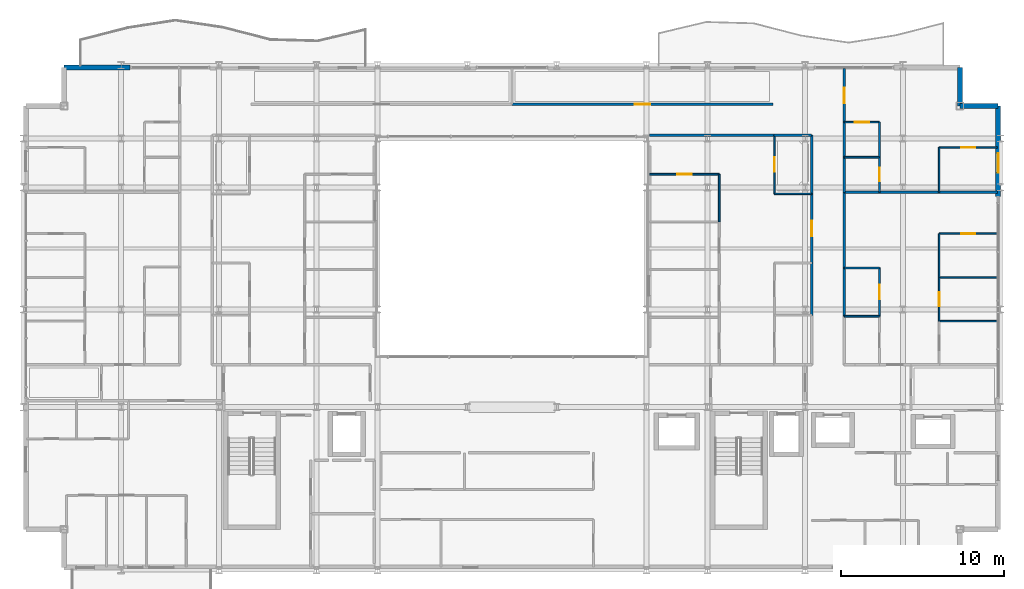
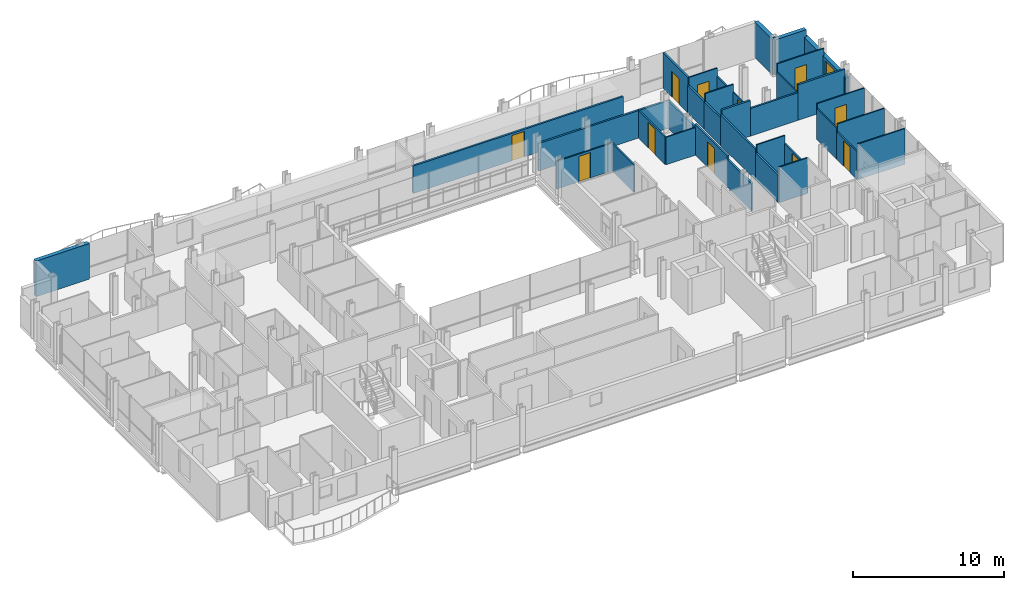
# One storey, part 36 of 41: 36 walls, 11 doors, 1 window, 12 openings.
"""IFC4 building model written with IfcOpenShell, lengths in metres."""

from ifc_helpers import new_model, si_unit, direction, frame, frame_2d, origin, place, context, subcontext, project, spatial, rectangle, extrude, material, layer, layer_set, type_object, element, fill, save


model = new_model("IFC4")

# Units and contexts
model_context = context("Model", 3, precision=1e-05, world=origin(), true_north=direction((0.0, 1.0)))
body_context = subcontext(model_context, "Body", "Model", "MODEL_VIEW")
ifc_project = project(units=[si_unit("LENGTHUNIT", "METRE"), si_unit("AREAUNIT", "SQUARE_METRE"), si_unit("VOLUMEUNIT", "CUBIC_METRE"), si_unit("PLANEANGLEUNIT", "RADIAN"), si_unit("MASSUNIT", "GRAM", prefix="KILO")], contexts=[model_context])

# Site, building, storey
site_placement = place(None, origin())
site = spatial("IfcSite", under=ifc_project, at=site_placement, CompositionType="ELEMENT")
building_placement = place(site_placement, origin())
building = spatial("IfcBuilding", under=site, at=building_placement, Name="Brevholm Reach", CompositionType="ELEMENT")
storey_placement = place(building_placement, frame((0.0, 0.0, 68.300048828125)))
storey = spatial("IfcBuildingStorey", under=building, at=storey_placement, Name="L19", CompositionType="ELEMENT", Elevation=68.300048828125)

# Walls
ifc_material_1 = material(Name="Concrete C40/50", Category="concrete")
ifc_layer_1 = layer(ifc_material_1, 0.300048828125)
ifc_layer_set_1 = layer_set([ifc_layer_1], Name="Concrete C40/50")
wall_type_1 = type_object("IfcWallType", Name="WAL-EXT-300", PredefinedType="STANDARD", material=ifc_layer_set_1)
for number, where, z_axis, x_axis, name in (
    (1, (59.85009765625, 28.5, 0.0), (0.0, 0.0, 1.0), (-1.0, 0.0, 0.0), "L19 Facade Wall WAL-L19-CNE1"),
    (2, (57.5, 28.5, 0.0), (0.0, 0.0, 1.0), (0.0, 1.0, 0.0), "L19 Facade Wall WAL-L19-CNE2"),
):
    element("IfcWall", number, at=place(storey_placement, frame(where, z_axis=z_axis, x_axis=x_axis)), inside=storey, type_object=wall_type_1, Name=name, PredefinedType="STANDARD", context=body_context, shape_type="SweptSolid", body=[
        extrude(rectangle(XDim=2.35009765625, YDim=0.300048828125, at=frame_2d((1.175048828125, 0.0))), origin(), (0.0, 0.0, 1.0), 2.869873046875),
    ])

# Wall, opening, window
wall_1_placement = place(storey_placement, frame((59.85009765625, 22.949951171875, 0.0), z_axis=(0.0, 0.0, 1.0), x_axis=(0.0, 1.0, 0.0)))
wall_1 = element("IfcWall", 3, at=wall_1_placement, inside=storey, type_object=wall_type_1, Name="L19 Facade Wall WAL-L19-E-N", PredefinedType="STANDARD", context=body_context, shape_type="SweptSolid", body=[
    extrude(rectangle(XDim=5.550048828125, YDim=0.300048828125, at=frame_2d((2.77490234375, 0.0))), origin(), (0.0, 0.0, 1.0), 2.305419921875),
])
opening_1_placement = place(wall_1_placement, frame((1.449951171875, 0.0, 0.486083984375)))
opening_1 = element("IfcOpeningElement", 4, at=opening_1_placement, cuts=wall_1, Name="Opening WN-08", PredefinedType="OPENING", context=body_context, shape_type="SweptSolid", body=[
    extrude(rectangle(XDim=1.199951171875, YDim=1.60009765625, at=frame_2d((0.60009765625, 0.800048828125))), frame((0.0, 0.159912109375, 0.0), z_axis=(0.0, -1.0, 0.0), x_axis=(1.0, 0.0, 0.0)), (0.0, 0.0, 1.0), 0.320068359375),
])
ifc_material_2 = material(Name="Dark Anodised Aluminium and Solar-Control IGU Glass", Category="aluminium")
window_type = type_object("IfcWindowType", Name="WIN-RES-1200", PartitioningType="SINGLE_PANEL", PredefinedType="WINDOW", material=ifc_material_2)
window_placement = place(opening_1_placement, origin())
window = element("IfcWindow", 5, at=window_placement, inside=storey, type_object=window_type, Name="L19 Window WIN-L19-EN-1", OverallHeight=1.60009765625, OverallWidth=1.199951171875, PartitioningType="SINGLE_PANEL", PredefinedType="WINDOW", context=body_context, shape_type="SweptSolid", body=[
    extrude(rectangle(XDim=1.199951171875, YDim=1.60009765625, at=frame_2d((0.60009765625, 0.800048828125))), frame((0.0, 0.030029296875, 0.0), z_axis=(0.0, -1.0, 0.0), x_axis=(1.0, 0.0, 0.0)), (0.0, 0.0, 1.0), 0.06005859375),
])
fill(opening_1, window)

# Walls
wall_2_placement = place(storey_placement, frame((2.5, 30.85009765625, 0.0), z_axis=(0.0, 0.0, 1.0), x_axis=(1.0, 0.0, 0.0)))
element("IfcWall", 6, at=wall_2_placement, inside=storey, type_object=wall_type_1, Name="L19 Facade Wall WAL-L19-NP-W0", PredefinedType="STANDARD", context=body_context, shape_type="SweptSolid", body=[
    extrude(rectangle(XDim=4.050048828125, YDim=0.300048828125, at=frame_2d((2.02490234375, 0.0))), origin(), (0.0, 0.0, 1.0), 2.869873046875),
])
ifc_material_3 = material(Name="Moisture-Resistant Acoustic Gypsum Stud Partition 100 mm", Category="gypsum")
ifc_layer_2 = layer(ifc_material_3, 0.10009765625)
ifc_layer_set_2 = layer_set([ifc_layer_2], Name="Moisture-Resistant Acoustic Gypsum Stud Partition 100 mm")
wall_type_2 = type_object("IfcWallType", Name="WAL-PRT-100", PredefinedType="PARTITIONING", material=ifc_layer_set_2)
wall_3_placement = place(storey_placement, frame((46.112060546875, 23.10009765625, 0.0), z_axis=(0.0, 0.0, 1.0), x_axis=(1.0, 0.0, 0.0)))
element("IfcWall", 7, at=wall_3_placement, inside=storey, type_object=wall_type_2, Name="L19 Internal Partition 128", PredefinedType="PARTITIONING", context=body_context, shape_type="SweptSolid", body=[
    extrude(rectangle(XDim=2.283935546875, YDim=0.10009765625, at=frame_2d((1.14208984375, 0.0))), origin(), (0.0, 0.0, 1.0), 2.224853515625),
])

# Wall, opening, door
wall_4_placement = place(storey_placement, frame((46.112060546875, 23.10009765625, 0.0), z_axis=(0.0, 0.0, 1.0), x_axis=(0.0, 1.0, 0.0)))
wall_4 = element("IfcWall", 8, at=wall_4_placement, inside=storey, type_object=wall_type_2, Name="L19 Internal Partition 129", PredefinedType="PARTITIONING", context=body_context, shape_type="SweptSolid", body=[
    extrude(rectangle(XDim=3.595947265625, YDim=0.10009765625, at=frame_2d((1.7978515625, 0.0))), origin(), (0.0, 0.0, 1.0), 2.224853515625),
])
opening_2_placement = place(wall_4_placement, frame((1.35791015625, 0.0, 0.0)))
opening_2 = element("IfcOpeningElement", 9, at=opening_2_placement, cuts=wall_4, Name="Opening ID-01", PredefinedType="OPENING", context=body_context, shape_type="SweptSolid", body=[
    extrude(rectangle(XDim=0.8798828125, YDim=2.0400390625, at=frame_2d((0.43994140625, 1.02001953125))), frame((0.0, 0.06005859375, 0.0), z_axis=(0.0, -1.0, 0.0), x_axis=(1.0, 0.0, 0.0)), (0.0, 0.0, 1.0), 0.1201171875),
])
ifc_material_4 = material(Name="Lacquered Ash Solid-Core Acoustic Internal Door", Category="timber")
door_type_1 = type_object("IfcDoorType", Name="DOR-INT-880", OperationType="NOTDEFINED", PredefinedType="DOOR", material=ifc_material_4)
door_1_placement = place(opening_2_placement, origin())
door_1 = element("IfcDoor", 10, at=door_1_placement, inside=storey, type_object=door_type_1, Name="L19 Internal Door 050", OperationType="SINGLE_SWING_RIGHT", OverallHeight=2.0400390625, OverallWidth=0.8798828125, PredefinedType="DOOR", context=body_context, shape_type="SweptSolid", body=[
    extrude(rectangle(XDim=0.8798828125, YDim=2.0400390625, at=frame_2d((0.43994140625, 1.02001953125))), frame((0.0, 0.02490234375, 0.0), z_axis=(0.0, -1.0, 0.0), x_axis=(1.0, 0.0, 0.0)), (0.0, 0.0, 1.0), 0.050048828125),
])
fill(opening_2, door_1)

# Wall
wall_5_placement = place(storey_placement, frame((42.72802734375, 21.37890625, 0.0), z_axis=(0.0, 0.0, 1.0), x_axis=(0.0, 1.0, 0.0)))
element("IfcWall", 11, at=wall_5_placement, inside=storey, type_object=wall_type_2, Name="L19 Internal Partition 136", PredefinedType="PARTITIONING", context=body_context, shape_type="SweptSolid", body=[
    extrude(rectangle(XDim=2.921142578125, YDim=0.10009765625, at=frame_2d((1.46044921875, 0.0))), origin(), (0.0, 0.0, 1.0), 2.224853515625),
])

# Wall, opening, door
wall_6_placement = place(storey_placement, frame((38.449951171875, 24.300048828125, 0.0), z_axis=(0.0, 0.0, 1.0), x_axis=(1.0, 0.0, 0.0)))
wall_6 = element("IfcWall", 12, at=wall_6_placement, inside=storey, type_object=wall_type_2, Name="L19 Internal Partition 137", PredefinedType="PARTITIONING", context=body_context, shape_type="SweptSolid", body=[
    extrude(rectangle(XDim=4.278076171875, YDim=0.10009765625, at=frame_2d((2.13916015625, 0.0))), origin(), (0.0, 0.0, 1.0), 2.224853515625),
])
opening_3_placement = place(wall_6_placement, frame((1.698974609375, 0.0, 0.0)))
opening_3 = element("IfcOpeningElement", 13, at=opening_3_placement, cuts=wall_6, Name="Opening ID-01", PredefinedType="OPENING", context=body_context, shape_type="SweptSolid", body=[
    extrude(rectangle(XDim=0.8798828125, YDim=2.0400390625, at=frame_2d((0.43994140625, 1.02001953125))), frame((0.0, 0.06005859375, 0.0), z_axis=(0.0, -1.0, 0.0), x_axis=(1.0, 0.0, 0.0)), (0.0, 0.0, 1.0), 0.1201171875),
])
door_2_placement = place(opening_3_placement, origin())
door_2 = element("IfcDoor", 14, at=door_2_placement, inside=storey, type_object=door_type_1, Name="L19 Internal Door 054", OperationType="SINGLE_SWING_RIGHT", OverallHeight=2.0400390625, OverallWidth=0.8798828125, PredefinedType="DOOR", context=body_context, shape_type="SweptSolid", body=[
    extrude(rectangle(XDim=0.8798828125, YDim=2.0400390625, at=frame_2d((0.43994140625, 1.02001953125))), frame((0.0, 0.02490234375, 0.0), z_axis=(0.0, -1.0, 0.0), x_axis=(1.0, 0.0, 0.0)), (0.0, 0.0, 1.0), 0.050048828125),
])
fill(opening_3, door_2)

# Wall
wall_7_placement = place(storey_placement, frame((50.404052734375, 15.58203125, 0.0), z_axis=(0.0, 0.0, 1.0), x_axis=(1.0, 0.0, 0.0)))
element("IfcWall", 15, at=wall_7_placement, inside=storey, type_object=wall_type_2, Name="L19 Internal Partition 138", PredefinedType="PARTITIONING", context=body_context, shape_type="SweptSolid", body=[
    extrude(rectangle(XDim=2.157958984375, YDim=0.10009765625, at=frame_2d((1.0791015625, 0.0))), origin(), (0.0, 0.0, 1.0), 2.869873046875),
])

# Wall, opening, door
wall_8_placement = place(storey_placement, frame((52.56201171875, 15.5859375, 0.0), z_axis=(0.0, 0.0, 1.0), x_axis=(0.0, 1.0, 0.0)))
wall_8 = element("IfcWall", 16, at=wall_8_placement, inside=storey, type_object=wall_type_2, Name="L19 Internal Partition 140", PredefinedType="PARTITIONING", context=body_context, shape_type="SweptSolid", body=[
    extrude(rectangle(XDim=2.964111328125, YDim=0.10009765625, at=frame_2d((1.48193359375, 0.0))), origin(), (0.0, 0.0, 1.0), 2.224853515625),
])
opening_4_placement = place(wall_8_placement, frame((1.0419921875, 0.0, 0.0)))
opening_4 = element("IfcOpeningElement", 17, at=opening_4_placement, cuts=wall_8, Name="Opening ID-01", PredefinedType="OPENING", context=body_context, shape_type="SweptSolid", body=[
    extrude(rectangle(XDim=0.8798828125, YDim=2.0400390625, at=frame_2d((0.43994140625, 1.02001953125))), frame((0.0, 0.06005859375, 0.0), z_axis=(0.0, -1.0, 0.0), x_axis=(1.0, 0.0, 0.0)), (0.0, 0.0, 1.0), 0.1201171875),
])
door_3_placement = place(opening_4_placement, origin())
door_3 = element("IfcDoor", 18, at=door_3_placement, inside=storey, type_object=door_type_1, Name="L19 Internal Door 056", OperationType="SINGLE_SWING_RIGHT", OverallHeight=2.0400390625, OverallWidth=0.8798828125, PredefinedType="DOOR", context=body_context, shape_type="SweptSolid", body=[
    extrude(rectangle(XDim=0.8798828125, YDim=2.0400390625, at=frame_2d((0.43994140625, 1.02001953125))), frame((0.0, 0.02490234375, 0.0), z_axis=(0.0, -1.0, 0.0), x_axis=(1.0, 0.0, 0.0)), (0.0, 0.0, 1.0), 0.050048828125),
])
fill(opening_4, door_3)

# Walls
wall_9_placement = place(storey_placement, frame((50.404052734375, 18.550048828125, 0.0), z_axis=(0.0, 0.0, 1.0), x_axis=(1.0, 0.0, 0.0)))
element("IfcWall", 19, at=wall_9_placement, inside=storey, type_object=wall_type_2, Name="L19 Internal Partition 141", PredefinedType="PARTITIONING", context=body_context, shape_type="SweptSolid", body=[
    extrude(rectangle(XDim=2.157958984375, YDim=0.10009765625, at=frame_2d((1.0791015625, 0.0))), origin(), (0.0, 0.0, 1.0), 2.869873046875),
])
for number, where, z_axis, x_axis, name in (
    (20, (56.22802734375, 15.284912109375, 0.0), (0.0, 0.0, 1.0), (1.0, 0.0, 0.0), "L19 Internal Partition 142"),
    (21, (56.22802734375, 17.969970703125, 0.0), (0.0, 0.0, 1.0), (1.0, 0.0, 0.0), "L19 Internal Partition 144"),
):
    element("IfcWall", number, at=place(storey_placement, frame(where, z_axis=z_axis, x_axis=x_axis)), inside=storey, type_object=wall_type_2, Name=name, PredefinedType="PARTITIONING", context=body_context, shape_type="SweptSolid", body=[
        extrude(rectangle(XDim=3.572021484375, YDim=0.10009765625, at=frame_2d((1.7861328125, 0.0))), origin(), (0.0, 0.0, 1.0), 2.869873046875),
    ])

# Wall, opening, door
wall_10_placement = place(storey_placement, frame((56.22802734375, 15.2890625, 0.0), z_axis=(0.0, 0.0, 1.0), x_axis=(0.0, 1.0, 0.0)))
wall_10 = element("IfcWall", 22, at=wall_10_placement, inside=storey, type_object=wall_type_2, Name="L19 Internal Partition 145", PredefinedType="PARTITIONING", context=body_context, shape_type="SweptSolid", body=[
    extrude(rectangle(XDim=2.680908203125, YDim=0.10009765625, at=frame_2d((1.34033203125, 0.0))), origin(), (0.0, 0.0, 1.0), 2.224853515625),
])
opening_5_placement = place(wall_10_placement, frame((0.900390625, 0.0, 0.0)))
opening_5 = element("IfcOpeningElement", 23, at=opening_5_placement, cuts=wall_10, Name="Opening ID-01", PredefinedType="OPENING", context=body_context, shape_type="SweptSolid", body=[
    extrude(rectangle(XDim=0.8798828125, YDim=2.0400390625, at=frame_2d((0.43994140625, 1.02001953125))), frame((0.0, 0.06005859375, 0.0), z_axis=(0.0, -1.0, 0.0), x_axis=(1.0, 0.0, 0.0)), (0.0, 0.0, 1.0), 0.1201171875),
])
door_4_placement = place(opening_5_placement, origin())
door_4 = element("IfcDoor", 24, at=door_4_placement, inside=storey, type_object=door_type_1, Name="L19 Internal Door 058", OperationType="SINGLE_SWING_RIGHT", OverallHeight=2.0400390625, OverallWidth=0.8798828125, PredefinedType="DOOR", context=body_context, shape_type="SweptSolid", body=[
    extrude(rectangle(XDim=0.8798828125, YDim=2.0400390625, at=frame_2d((0.43994140625, 1.02001953125))), frame((0.0, 0.02490234375, 0.0), z_axis=(0.0, -1.0, 0.0), x_axis=(1.0, 0.0, 0.0)), (0.0, 0.0, 1.0), 0.050048828125),
])
fill(opening_5, door_4)

wall_11_placement = place(storey_placement, frame((56.22802734375, 20.655029296875, 0.0), z_axis=(0.0, 0.0, 1.0), x_axis=(1.0, 0.0, 0.0)))
wall_11 = element("IfcWall", 25, at=wall_11_placement, inside=storey, type_object=wall_type_2, Name="L19 Internal Partition 146", PredefinedType="PARTITIONING", context=body_context, shape_type="SweptSolid", body=[
    extrude(rectangle(XDim=3.572021484375, YDim=0.10009765625, at=frame_2d((1.7861328125, 0.0))), origin(), (0.0, 0.0, 1.0), 2.869873046875),
])
opening_6_placement = place(wall_11_placement, frame((1.345947265625, 0.0, 0.0)))
opening_6 = element("IfcOpeningElement", 26, at=opening_6_placement, cuts=wall_11, Name="Opening ID-01", PredefinedType="OPENING", context=body_context, shape_type="SweptSolid", body=[
    extrude(rectangle(XDim=0.8798828125, YDim=2.0400390625, at=frame_2d((0.43994140625, 1.02001953125))), frame((0.0, 0.06005859375, 0.0), z_axis=(0.0, -1.0, 0.0), x_axis=(1.0, 0.0, 0.0)), (0.0, 0.0, 1.0), 0.1201171875),
])
door_5_placement = place(opening_6_placement, origin())
door_5 = element("IfcDoor", 27, at=door_5_placement, inside=storey, type_object=door_type_1, Name="L19 Internal Door 059", OperationType="SINGLE_SWING_LEFT", OverallHeight=2.0400390625, OverallWidth=0.8798828125, PredefinedType="DOOR", context=body_context, shape_type="SweptSolid", body=[
    extrude(rectangle(XDim=0.8798828125, YDim=2.0400390625, at=frame_2d((0.43994140625, 1.02001953125))), frame((0.0, 0.02490234375, 0.0), z_axis=(0.0, -1.0, 0.0), x_axis=(1.0, 0.0, 0.0)), (0.0, 0.0, 1.0), 0.050048828125),
])
fill(opening_6, door_5)

# Walls
wall_12_placement = place(storey_placement, frame((56.22802734375, 17.97412109375, 0.0), z_axis=(0.0, 0.0, 1.0), x_axis=(0.0, 1.0, 0.0)))
element("IfcWall", 28, at=wall_12_placement, inside=storey, type_object=wall_type_2, Name="L19 Internal Partition 147", PredefinedType="PARTITIONING", context=body_context, shape_type="SweptSolid", body=[
    extrude(rectangle(XDim=2.680908203125, YDim=0.10009765625, at=frame_2d((1.34033203125, 0.0))), origin(), (0.0, 0.0, 1.0), 2.489990234375),
])
wall_13_placement = place(storey_placement, frame((50.404052734375, 25.35009765625, 0.0), z_axis=(0.0, 0.0, 1.0), x_axis=(1.0, 0.0, 0.0)))
element("IfcWall", 29, at=wall_13_placement, inside=storey, type_object=wall_type_2, Name="L19 Internal Partition 151", PredefinedType="PARTITIONING", context=body_context, shape_type="SweptSolid", body=[
    extrude(rectangle(XDim=2.157958984375, YDim=0.10009765625, at=frame_2d((1.0791015625, 0.0))), origin(), (0.0, 0.0, 1.0), 2.869873046875),
])

# Wall, opening, door
wall_14_placement = place(storey_placement, frame((52.56201171875, 23.2041015625, 0.0), z_axis=(0.0, 0.0, 1.0), x_axis=(0.0, 1.0, 0.0)))
wall_14 = element("IfcWall", 30, at=wall_14_placement, inside=storey, type_object=wall_type_2, Name="L19 Internal Partition 152", PredefinedType="PARTITIONING", context=body_context, shape_type="SweptSolid", body=[
    extrude(rectangle(XDim=2.14599609375, YDim=0.10009765625, at=frame_2d((1.072998046875, 0.0))), origin(), (0.0, 0.0, 1.0), 2.224853515625),
])
opening_7_placement = place(wall_14_placement, frame((0.6630859375, 0.0, 0.0)))
opening_7 = element("IfcOpeningElement", 31, at=opening_7_placement, cuts=wall_14, Name="Opening ID-03", PredefinedType="OPENING", context=body_context, shape_type="SweptSolid", body=[
    extrude(rectangle(XDim=0.820068359375, YDim=2.02001953125, at=frame_2d((0.41015625, 1.010009765625))), frame((0.0, 0.06005859375, 0.0), z_axis=(0.0, -1.0, 0.0), x_axis=(1.0, 0.0, 0.0)), (0.0, 0.0, 1.0), 0.1201171875),
])
ifc_material_5 = material(Name="Moisture-Resistant Painted Timber Internal Bathroom Door", Category="wood")
door_type_2 = type_object("IfcDoorType", Name="DOR-BATH-820", OperationType="NOTDEFINED", PredefinedType="DOOR", material=ifc_material_5)
door_6_placement = place(opening_7_placement, origin())
door_6 = element("IfcDoor", 32, at=door_6_placement, inside=storey, type_object=door_type_2, Name="L19 Internal Door 060", OperationType="SINGLE_SWING_RIGHT", OverallHeight=2.02001953125, OverallWidth=0.820068359375, PredefinedType="DOOR", context=body_context, shape_type="SweptSolid", body=[
    extrude(rectangle(XDim=0.820068359375, YDim=2.02001953125, at=frame_2d((0.41015625, 1.010009765625))), frame((0.0, 0.02490234375, 0.0), z_axis=(0.0, -1.0, 0.0), x_axis=(1.0, 0.0, 0.0)), (0.0, 0.0, 1.0), 0.050048828125),
])
fill(opening_7, door_6)

# Wall
wall_15_placement = place(storey_placement, frame((52.56201171875, 25.35400390625, 0.0), z_axis=(0.0, 0.0, 1.0), x_axis=(0.0, 1.0, 0.0)))
element("IfcWall", 33, at=wall_15_placement, inside=storey, type_object=wall_type_2, Name="L19 Internal Partition 153", PredefinedType="PARTITIONING", context=body_context, shape_type="SweptSolid", body=[
    extrude(rectangle(XDim=2.14599609375, YDim=0.10009765625, at=frame_2d((1.072998046875, 0.0))), origin(), (0.0, 0.0, 1.0), 2.224853515625),
])

# Wall, opening, door
wall_16_placement = place(storey_placement, frame((50.404052734375, 27.5, 0.0), z_axis=(0.0, 0.0, 1.0), x_axis=(1.0, 0.0, 0.0)))
wall_16 = element("IfcWall", 34, at=wall_16_placement, inside=storey, type_object=wall_type_2, Name="L19 Internal Partition 154", PredefinedType="PARTITIONING", context=body_context, shape_type="SweptSolid", body=[
    extrude(rectangle(XDim=2.157958984375, YDim=0.10009765625, at=frame_2d((1.0791015625, 0.0))), origin(), (0.0, 0.0, 1.0), 2.869873046875),
])
opening_8_placement = place(wall_16_placement, frame((0.638916015625, 0.0, 0.0)))
opening_8 = element("IfcOpeningElement", 35, at=opening_8_placement, cuts=wall_16, Name="Opening ID-01", PredefinedType="OPENING", context=body_context, shape_type="SweptSolid", body=[
    extrude(rectangle(XDim=0.8798828125, YDim=2.0400390625, at=frame_2d((0.43994140625, 1.02001953125))), frame((0.0, 0.06005859375, 0.0), z_axis=(0.0, -1.0, 0.0), x_axis=(1.0, 0.0, 0.0)), (0.0, 0.0, 1.0), 0.1201171875),
])
door_7_placement = place(opening_8_placement, origin())
door_7 = element("IfcDoor", 36, at=door_7_placement, inside=storey, type_object=door_type_1, Name="L19 Internal Door 061", OperationType="SINGLE_SWING_LEFT", OverallHeight=2.0400390625, OverallWidth=0.8798828125, PredefinedType="DOOR", context=body_context, shape_type="SweptSolid", body=[
    extrude(rectangle(XDim=0.8798828125, YDim=2.0400390625, at=frame_2d((0.43994140625, 1.02001953125))), frame((0.0, 0.02490234375, 0.0), z_axis=(0.0, -1.0, 0.0), x_axis=(1.0, 0.0, 0.0)), (0.0, 0.0, 1.0), 0.050048828125),
])
fill(opening_8, door_7)

wall_17_placement = place(storey_placement, frame((56.22802734375, 25.949951171875, 0.0), z_axis=(0.0, 0.0, 1.0), x_axis=(1.0, 0.0, 0.0)))
wall_17 = element("IfcWall", 37, at=wall_17_placement, inside=storey, type_object=wall_type_2, Name="L19 Internal Partition 155", PredefinedType="PARTITIONING", context=body_context, shape_type="SweptSolid", body=[
    extrude(rectangle(XDim=3.572021484375, YDim=0.10009765625, at=frame_2d((1.7861328125, 0.0))), origin(), (0.0, 0.0, 1.0), 2.869873046875),
])
opening_9_placement = place(wall_17_placement, frame((1.345947265625, 0.0, 0.0)))
opening_9 = element("IfcOpeningElement", 38, at=opening_9_placement, cuts=wall_17, Name="Opening ID-01", PredefinedType="OPENING", context=body_context, shape_type="SweptSolid", body=[
    extrude(rectangle(XDim=0.8798828125, YDim=2.0400390625, at=frame_2d((0.43994140625, 1.02001953125))), frame((0.0, 0.06005859375, 0.0), z_axis=(0.0, -1.0, 0.0), x_axis=(1.0, 0.0, 0.0)), (0.0, 0.0, 1.0), 0.1201171875),
])
door_8_placement = place(opening_9_placement, origin())
door_8 = element("IfcDoor", 39, at=door_8_placement, inside=storey, type_object=door_type_1, Name="L19 Internal Door 062", OperationType="SINGLE_SWING_RIGHT", OverallHeight=2.0400390625, OverallWidth=0.8798828125, PredefinedType="DOOR", context=body_context, shape_type="SweptSolid", body=[
    extrude(rectangle(XDim=0.8798828125, YDim=2.0400390625, at=frame_2d((0.43994140625, 1.02001953125))), frame((0.0, 0.02490234375, 0.0), z_axis=(0.0, -1.0, 0.0), x_axis=(1.0, 0.0, 0.0)), (0.0, 0.0, 1.0), 0.050048828125),
])
fill(opening_9, door_8)

# Walls
wall_18_placement = place(storey_placement, frame((56.22802734375, 23.2041015625, 0.0), z_axis=(0.0, 0.0, 1.0), x_axis=(0.0, 1.0, 0.0)))
element("IfcWall", 40, at=wall_18_placement, inside=storey, type_object=wall_type_2, Name="L19 Internal Partition 156", PredefinedType="PARTITIONING", context=body_context, shape_type="SweptSolid", body=[
    extrude(rectangle(XDim=2.745849609375, YDim=0.10009765625, at=frame_2d((1.373046875, 0.0))), origin(), (0.0, 0.0, 1.0), 2.224853515625),
])
ifc_material_6 = material(Name="Twin-Stud Acoustic Fire-Rated Gypsum Partition 140 mm", Category="gypsum")
ifc_layer_3 = layer(ifc_material_6, 0.139892578125)
ifc_layer_set_3 = layer_set([ifc_layer_3], Name="Twin-Stud Acoustic Fire-Rated Gypsum Partition 140 mm")
wall_type_3 = type_object("IfcWallType", Name="WAL-PRT-140", PredefinedType="PARTITIONING", material=ifc_layer_set_3)
wall_19_placement = place(storey_placement, frame((48.39990234375, 15.642578125, 0.0), z_axis=(0.0, 0.0, 1.0), x_axis=(0.0, 1.0, 0.0)))
element("IfcWall", 41, at=wall_19_placement, inside=storey, type_object=wall_type_3, Name="L19 Internal Partition 049", PredefinedType="PARTITIONING", context=body_context, shape_type="SweptSolid", body=[
    extrude(rectangle(XDim=3.21875, YDim=0.139892578125, at=frame_2d((1.609375, 0.0))), origin(), (0.0, 0.0, 1.0), 2.224853515625),
])
wall_20_placement = place(storey_placement, frame((48.39990234375, 23.088623046875, 0.0), z_axis=(0.0, 0.0, 1.0), x_axis=(0.0, 1.0, 0.0)))
element("IfcWall", 42, at=wall_20_placement, inside=storey, type_object=wall_type_3, Name="L19 Internal Partition 050", PredefinedType="PARTITIONING", context=body_context, shape_type="SweptSolid", body=[
    extrude(rectangle(XDim=3.61865234375, YDim=0.139892578125, at=frame_2d((1.809326171875, 0.0))), origin(), (0.0, 0.0, 1.0), 2.224853515625),
])

# Wall, opening, door
wall_21_placement = place(storey_placement, frame((48.39990234375, 18.8427734375, 0.0), z_axis=(0.0, 0.0, 1.0), x_axis=(0.0, 1.0, 0.0)))
wall_21 = element("IfcWall", 43, at=wall_21_placement, inside=storey, type_object=wall_type_3, Name="L19 Internal Partition 051", PredefinedType="PARTITIONING", context=body_context, shape_type="SweptSolid", body=[
    extrude(rectangle(XDim=4.2646484375, YDim=0.139892578125, at=frame_2d((2.13232421875, 0.0))), origin(), (0.0, 0.0, 1.0), 2.489990234375),
])
opening_10_placement = place(wall_21_placement, frame((1.6572265625, 0.0, 0.0)))
opening_10 = element("IfcOpeningElement", 44, at=opening_10_placement, cuts=wall_21, Name="Opening ID-30", PredefinedType="OPENING", context=body_context, shape_type="SweptSolid", body=[
    extrude(rectangle(XDim=0.949951171875, YDim=2.050048828125, at=frame_2d((0.47509765625, 1.02490234375))), frame((0.0, 0.079833984375, 0.0), z_axis=(0.0, -1.0, 0.0), x_axis=(1.0, 0.0, 0.0)), (0.0, 0.0, 1.0), 0.159912109375),
])
ifc_material_7 = material(Name="European Oak Veneered Solid-Core Fire Entrance Door", Category="timber")
door_type_3 = type_object("IfcDoorType", Name="DOR-FLT-FD30S", OperationType="NOTDEFINED", PredefinedType="DOOR", material=ifc_material_7)
door_9_placement = place(opening_10_placement, origin())
door_9 = element("IfcDoor", 45, at=door_9_placement, inside=storey, type_object=door_type_3, Name="L19 Internal Door 020", OperationType="SINGLE_SWING_RIGHT", OverallHeight=2.050048828125, OverallWidth=0.949951171875, PredefinedType="DOOR", context=body_context, shape_type="SweptSolid", body=[
    extrude(rectangle(XDim=0.949951171875, YDim=2.050048828125, at=frame_2d((0.47509765625, 1.02490234375))), frame((0.0, 0.02490234375, 0.0), z_axis=(0.0, -1.0, 0.0), x_axis=(1.0, 0.0, 0.0)), (0.0, 0.0, 1.0), 0.050048828125),
])
fill(opening_10, door_9)

# Walls
wall_22_placement = place(storey_placement, frame((50.39990234375, 15.57470703125, 0.0), z_axis=(0.0, 0.0, 1.0), x_axis=(0.0, 1.0, 0.0)))
element("IfcWall", 46, at=wall_22_placement, inside=storey, type_object=wall_type_3, Name="L19 Internal Partition 053", PredefinedType="PARTITIONING", context=body_context, shape_type="SweptSolid", body=[
    extrude(rectangle(XDim=2.986572265625, YDim=0.139892578125, at=frame_2d((1.4931640625, 0.0))), origin(), (0.0, 0.0, 1.0), 2.224853515625),
])
wall_23_placement = place(storey_placement, frame((50.39990234375, 18.542724609375, 0.0), z_axis=(0.0, 0.0, 1.0), x_axis=(0.0, 1.0, 0.0)))
element("IfcWall", 47, at=wall_23_placement, inside=storey, type_object=wall_type_3, Name="L19 Internal Partition 054", PredefinedType="PARTITIONING", context=body_context, shape_type="SweptSolid", body=[
    extrude(rectangle(XDim=4.66845703125, YDim=0.139892578125, at=frame_2d((2.334228515625, 0.0))), origin(), (0.0, 0.0, 1.0), 2.489990234375),
])
wall_24_placement = place(storey_placement, frame((50.39990234375, 23.192626953125, 0.0), z_axis=(0.0, 0.0, 1.0), x_axis=(0.0, 1.0, 0.0)))
element("IfcWall", 48, at=wall_24_placement, inside=storey, type_object=wall_type_3, Name="L19 Internal Partition 055", PredefinedType="PARTITIONING", context=body_context, shape_type="SweptSolid", body=[
    extrude(rectangle(XDim=2.168701171875, YDim=0.139892578125, at=frame_2d((1.08447265625, 0.0))), origin(), (0.0, 0.0, 1.0), 2.224853515625),
])
wall_25_placement = place(storey_placement, frame((50.39990234375, 25.3427734375, 0.0), z_axis=(0.0, 0.0, 1.0), x_axis=(0.0, 1.0, 0.0)))
element("IfcWall", 49, at=wall_25_placement, inside=storey, type_object=wall_type_3, Name="L19 Internal Partition 056", PredefinedType="PARTITIONING", context=body_context, shape_type="SweptSolid", body=[
    extrude(rectangle(XDim=2.16845703125, YDim=0.139892578125, at=frame_2d((1.084228515625, 0.0))), origin(), (0.0, 0.0, 1.0), 2.224853515625),
])

# Wall, opening, door
wall_26_placement = place(storey_placement, frame((50.39990234375, 27.49267578125, 0.0), z_axis=(0.0, 0.0, 1.0), x_axis=(0.0, 1.0, 0.0)))
wall_26 = element("IfcWall", 50, at=wall_26_placement, inside=storey, type_object=wall_type_3, Name="L19 Internal Partition 057", PredefinedType="PARTITIONING", context=body_context, shape_type="SweptSolid", body=[
    extrude(rectangle(XDim=3.307373046875, YDim=0.139892578125, at=frame_2d((1.65380859375, 0.0))), origin(), (0.0, 0.0, 1.0), 2.869873046875),
])
opening_11_placement = place(wall_26_placement, frame((1.1787109375, 0.0, 0.0)))
opening_11 = element("IfcOpeningElement", 51, at=opening_11_placement, cuts=wall_26, Name="Opening ID-30", PredefinedType="OPENING", context=body_context, shape_type="SweptSolid", body=[
    extrude(rectangle(XDim=0.949951171875, YDim=2.050048828125, at=frame_2d((0.47509765625, 1.02490234375))), frame((0.0, 0.079833984375, 0.0), z_axis=(0.0, -1.0, 0.0), x_axis=(1.0, 0.0, 0.0)), (0.0, 0.0, 1.0), 0.159912109375),
])
door_10_placement = place(opening_11_placement, origin())
door_10 = element("IfcDoor", 52, at=door_10_placement, inside=storey, type_object=door_type_3, Name="L19 Internal Door 021", OperationType="SINGLE_SWING_LEFT", OverallHeight=2.050048828125, OverallWidth=0.949951171875, PredefinedType="DOOR", context=body_context, shape_type="SweptSolid", body=[
    extrude(rectangle(XDim=0.949951171875, YDim=2.050048828125, at=frame_2d((0.47509765625, 1.02490234375))), frame((0.0, 0.02490234375, 0.0), z_axis=(0.0, -1.0, 0.0), x_axis=(1.0, 0.0, 0.0)), (0.0, 0.0, 1.0), 0.050048828125),
])
fill(opening_11, door_10)

# Walls
wall_27_placement = place(storey_placement, frame((46.1005859375, 26.699951171875, 0.0), z_axis=(0.0, 0.0, 1.0), x_axis=(1.0, 0.0, 0.0)))
element("IfcWall", 53, at=wall_27_placement, inside=storey, type_object=wall_type_3, Name="L19 Internal Partition 060", PredefinedType="PARTITIONING", context=body_context, shape_type="SweptSolid", body=[
    extrude(rectangle(XDim=2.29541015625, YDim=0.139892578125, at=frame_2d((1.147705078125, 0.0))), origin(), (0.0, 0.0, 1.0), 2.224853515625),
])
wall_28_placement = place(storey_placement, frame((38.438720703125, 26.699951171875, 0.0), z_axis=(0.0, 0.0, 1.0), x_axis=(1.0, 0.0, 0.0)))
element("IfcWall", 54, at=wall_28_placement, inside=storey, type_object=wall_type_3, Name="L19 Internal Partition 061", PredefinedType="PARTITIONING", context=body_context, shape_type="SweptSolid", body=[
    extrude(rectangle(XDim=7.6806640625, YDim=0.139892578125, at=frame_2d((3.84033203125, 0.0))), origin(), (0.0, 0.0, 1.0), 2.224853515625),
])

# Wall, opening, door
wall_29_placement = place(storey_placement, frame((29.99267578125, 28.60009765625, 0.0), z_axis=(0.0, 0.0, 1.0), x_axis=(1.0, 0.0, 0.0)))
wall_29 = element("IfcWall", 55, at=wall_29_placement, inside=storey, type_object=wall_type_3, Name="L19 Internal Partition 063", PredefinedType="PARTITIONING", context=body_context, shape_type="SweptSolid", body=[
    extrude(rectangle(XDim=16.0185546875, YDim=0.139892578125, at=frame_2d((8.00927734375, 0.0))), origin(), (0.0, 0.0, 1.0), 2.224853515625),
])
opening_12_placement = place(wall_29_placement, frame((7.5341796875, 0.0, 0.0)))
opening_12 = element("IfcOpeningElement", 56, at=opening_12_placement, cuts=wall_29, Name="Opening ID-30", PredefinedType="OPENING", context=body_context, shape_type="SweptSolid", body=[
    extrude(rectangle(XDim=0.949951171875, YDim=2.050048828125, at=frame_2d((0.47509765625, 1.02490234375))), frame((0.0, 0.079833984375, 0.0), z_axis=(0.0, -1.0, 0.0), x_axis=(1.0, 0.0, 0.0)), (0.0, 0.0, 1.0), 0.159912109375),
])
door_11_placement = place(opening_12_placement, origin())
door_11 = element("IfcDoor", 57, at=door_11_placement, inside=storey, type_object=door_type_3, Name="L19 Internal Door 023", OperationType="SINGLE_SWING_LEFT", OverallHeight=2.050048828125, OverallWidth=0.949951171875, PredefinedType="DOOR", context=body_context, shape_type="SweptSolid", body=[
    extrude(rectangle(XDim=0.949951171875, YDim=2.050048828125, at=frame_2d((0.47509765625, 1.02490234375))), frame((0.0, 0.02490234375, 0.0), z_axis=(0.0, -1.0, 0.0), x_axis=(1.0, 0.0, 0.0)), (0.0, 0.0, 1.0), 0.050048828125),
])
fill(opening_12, door_11)

# Walls
wall_30_placement = place(storey_placement, frame((50.404052734375, 23.199951171875, 0.0), z_axis=(0.0, 0.0, 1.0), x_axis=(1.0, 0.0, 0.0)))
element("IfcWall", 58, at=wall_30_placement, inside=storey, type_object=wall_type_3, Name="L19 Internal Partition 148", PredefinedType="PARTITIONING", context=body_context, shape_type="SweptSolid", body=[
    extrude(rectangle(XDim=2.169189453125, YDim=0.139892578125, at=frame_2d((1.08447265625, 0.0))), origin(), (0.0, 0.0, 1.0), 2.869873046875),
])
wall_31_placement = place(storey_placement, frame((56.216796875, 23.199951171875, 0.0), z_axis=(0.0, 0.0, 1.0), x_axis=(1.0, 0.0, 0.0)))
element("IfcWall", 59, at=wall_31_placement, inside=storey, type_object=wall_type_3, Name="L19 Internal Partition 149", PredefinedType="PARTITIONING", context=body_context, shape_type="SweptSolid", body=[
    extrude(rectangle(XDim=3.583251953125, YDim=0.139892578125, at=frame_2d((1.79150390625, 0.0))), origin(), (0.0, 0.0, 1.0), 2.869873046875),
])
wall_32_placement = place(storey_placement, frame((52.5546875, 23.199951171875, 0.0), z_axis=(0.0, 0.0, 1.0), x_axis=(1.0, 0.0, 0.0)))
element("IfcWall", 60, at=wall_32_placement, inside=storey, type_object=wall_type_3, Name="L19 Internal Partition 150", PredefinedType="PARTITIONING", context=body_context, shape_type="SweptSolid", body=[
    extrude(rectangle(XDim=3.6806640625, YDim=0.139892578125, at=frame_2d((1.84033203125, 0.0))), origin(), (0.0, 0.0, 1.0), 2.224853515625),
])

save(model, "model.ifc")
